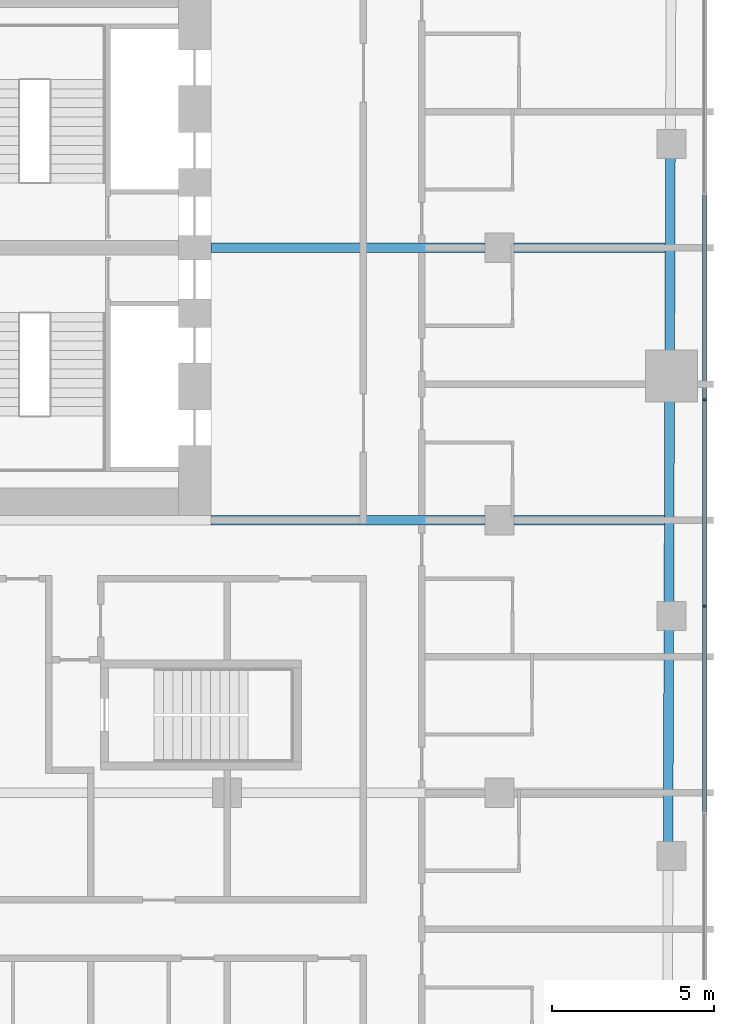
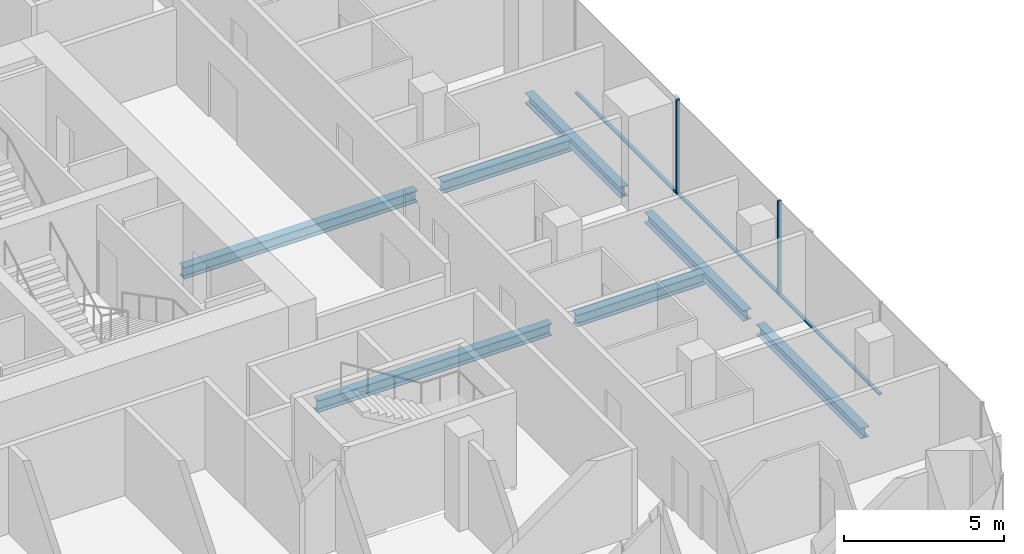
# One storey, part 7 of 23: 7 beams, 5 members, 1 element without a shape of its own.
"""IFC4 building model written with IfcOpenShell, lengths in metres."""

from ifc_helpers import new_model, si_unit, direction, frame, origin, origin_2d, place, context, subcontext, project, spatial, rectangle, i_section, extrude, material, layer, layer_set, material_profile, profile_set, type_object, element, aggregate, save


model = new_model("IFC4")

# Units and contexts
model_context = context("Model", 3, precision=1e-05, world=origin(), true_north=direction((0.0, 1.0)))
body_context = subcontext(model_context, "Body", "Model", "MODEL_VIEW")
ifc_project = project(units=[si_unit("LENGTHUNIT", "METRE"), si_unit("AREAUNIT", "SQUARE_METRE"), si_unit("VOLUMEUNIT", "CUBIC_METRE"), si_unit("PLANEANGLEUNIT", "RADIAN"), si_unit("MASSUNIT", "GRAM", prefix="KILO")], contexts=[model_context])

# Site, building, storey
site_placement = place(None, origin())
site = spatial("IfcSite", under=ifc_project, at=site_placement, CompositionType="ELEMENT")
building_placement = place(site_placement, origin())
building = spatial("IfcBuilding", under=site, at=building_placement, Name="Marenta Gate Hotel Tower", CompositionType="ELEMENT")
storey_placement = place(building_placement, frame((0.0, 0.0, 140.89990234375)))
storey = spatial("IfcBuildingStorey", under=building, at=storey_placement, Name="L32", CompositionType="ELEMENT", Elevation=140.89990234375)

# Beams
ifc_material_1 = material(Name="Steel S355", Category="steel")
ifc_material_profile_1 = material_profile(ifc_material_1, i_section(OverallWidth=0.300048828125, OverallDepth=0.39990234375, WebThickness=0.013427734375, FlangeThickness=0.02392578125, FilletRadius=0.027099609375, at=origin_2d()), Name="HEB 400")
ifc_profile_set_1 = profile_set([ifc_material_profile_1], Name="Steel S355")
beam_type_1 = type_object("IfcBeamType", Name="Edge beam HEB 400", PredefinedType="SPANDREL", material=ifc_profile_set_1)
beam_1_placement = place(storey_placement, frame((26.26416015625, 11.193115234375, -0.4599609375), z_axis=(-0.003305160059, -0.999994537944, 0.0), x_axis=(0.999994537944, -0.003305160059, 0.0)))
element("IfcBeam", 1, at=beam_1_placement, inside=storey, type_object=beam_type_1, Name="L32-EB-24", PredefinedType="SPANDREL", context=body_context, shape_type="SweptSolid", body=[
    extrude(i_section(OverallWidth=0.300048828125, OverallDepth=0.39990234375, WebThickness=0.013427734375, FlangeThickness=0.02392578125, FilletRadius=0.027099609375, at=origin_2d()), origin(), (0.0, 0.0, 1.0), 5.983154296875),
])
beam_2_placement = place(storey_placement, frame((26.2392578125, 3.68994140625, -0.4599609375), z_axis=(-0.003330441525, -0.999994454064, 0.0), x_axis=(0.999994454064, -0.003330441525, 0.0)))
element("IfcBeam", 2, at=beam_2_placement, inside=storey, type_object=beam_type_1, Name="L32-EB-25", PredefinedType="SPANDREL", context=body_context, shape_type="SweptSolid", body=[
    extrude(i_section(OverallWidth=0.300048828125, OverallDepth=0.39990234375, WebThickness=0.013427734375, FlangeThickness=0.02392578125, FilletRadius=0.027099609375, at=origin_2d()), origin(), (0.0, 0.0, 1.0), 6.23095703125),
])
beam_3_placement = place(storey_placement, frame((26.2158203125, -3.36083984375, -0.4599609375), z_axis=(-0.00333875569, -0.99999442634, 0.0), x_axis=(0.99999442634, -0.00333875569, 0.0)))
element("IfcBeam", 3, at=beam_3_placement, inside=storey, type_object=beam_type_1, Name="L32-EB-26", PredefinedType="SPANDREL", context=body_context, shape_type="SweptSolid", body=[
    extrude(i_section(OverallWidth=0.300048828125, OverallDepth=0.39990234375, WebThickness=0.013427734375, FlangeThickness=0.02392578125, FilletRadius=0.027099609375, at=origin_2d()), origin(), (0.0, 0.0, 1.0), 6.5810546875),
])
ifc_material_2 = material(Name="Steel S355", Category="steel")
ifc_material_profile_2 = material_profile(ifc_material_2, i_section(OverallWidth=0.300048828125, OverallDepth=0.449951171875, WebThickness=0.013916015625, FlangeThickness=0.02587890625, FilletRadius=0.027099609375, at=origin_2d()), Name="HEB 450")
ifc_profile_set_2 = profile_set([ifc_material_profile_2], Name="Steel S355")
beam_type_2 = type_object("IfcBeamType", Name="Girder HEB 450", PredefinedType="BEAM", material=ifc_profile_set_2)
beam_4_placement = place(storey_placement, frame((12.10009765625, 0.0, -0.48486328125), z_axis=(1.0, 0.0, 0.0), x_axis=(0.0, 1.0, 0.0)))
element("IfcBeam", 4, at=beam_4_placement, inside=storey, type_object=beam_type_2, Name="L32-GD-18", PredefinedType="BEAM", context=body_context, shape_type="SweptSolid", body=[
    extrude(i_section(OverallWidth=0.300048828125, OverallDepth=0.449951171875, WebThickness=0.013916015625, FlangeThickness=0.02587890625, FilletRadius=0.027099609375, at=origin_2d()), origin(), (0.0, 0.0, 1.0), 8.449951171875),
])
beam_5_placement = place(storey_placement, frame((21.449951171875, 0.0, -0.48486328125), z_axis=(1.0, 0.0, 0.0), x_axis=(0.0, 1.0, 0.0)))
element("IfcBeam", 5, at=beam_5_placement, inside=storey, type_object=beam_type_2, Name="L32-GD-19", PredefinedType="BEAM", context=body_context, shape_type="SweptSolid", body=[
    extrude(i_section(OverallWidth=0.300048828125, OverallDepth=0.449951171875, WebThickness=0.013916015625, FlangeThickness=0.02587890625, FilletRadius=0.027099609375, at=origin_2d()), origin(), (0.0, 0.0, 1.0), 4.626953125),
])
beam_6_placement = place(storey_placement, frame((12.10009765625, 8.39990234375, -0.48486328125), z_axis=(1.0, 0.0, 0.0), x_axis=(0.0, 1.0, 0.0)))
element("IfcBeam", 6, at=beam_6_placement, inside=storey, type_object=beam_type_2, Name="L32-GD-22", PredefinedType="BEAM", context=body_context, shape_type="SweptSolid", body=[
    extrude(i_section(OverallWidth=0.300048828125, OverallDepth=0.449951171875, WebThickness=0.013916015625, FlangeThickness=0.02587890625, FilletRadius=0.027099609375, at=origin_2d()), origin(), (0.0, 0.0, 1.0), 8.449951171875),
])
beam_7_placement = place(storey_placement, frame((21.449951171875, 8.39990234375, -0.48486328125), z_axis=(1.0, 0.0, 0.0), x_axis=(0.0, 1.0, 0.0)))
element("IfcBeam", 7, at=beam_7_placement, inside=storey, type_object=beam_type_2, Name="L32-GD-23", PredefinedType="BEAM", context=body_context, shape_type="SweptSolid", body=[
    extrude(i_section(OverallWidth=0.300048828125, OverallDepth=0.449951171875, WebThickness=0.013916015625, FlangeThickness=0.02587890625, FilletRadius=0.027099609375, at=origin_2d()), origin(), (0.0, 0.0, 1.0), 4.655029296875),
])

# Curtain wall, members
ifc_material_3 = material(Name="Tinted insulated glass in bronze anodised frame", Category="glass")
ifc_layer = layer(ifc_material_3, 0.1201171875)
ifc_layer_set = layer_set([ifc_layer], Name="Tinted insulated glass in bronze anodised frame")
curtain_wall_type = type_object("IfcCurtainWallType", Name="Tower unitised curtain wall CW1", PredefinedType="NOTDEFINED", material=ifc_layer_set)
curtain_wall_placement = place(storey_placement, origin())
curtain_wall = element("IfcCurtainWall", 8, at=curtain_wall_placement, inside=storey, type_object=curtain_wall_type, Name="CW1 run G11", PredefinedType="NOTDEFINED")
ifc_material_4 = material(Name="Bronze anodised aluminium", Category="aluminium")
ifc_material_profile_3 = material_profile(ifc_material_4, rectangle(XDim=0.1201171875, YDim=0.06005859375, at=origin_2d()), Name="Mullion CW1 60x120 bronze anodised aluminium")
ifc_profile_set_3 = profile_set([ifc_material_profile_3], Name="Bronze anodised aluminium")
member_type_1 = type_object("IfcMemberType", Name="Mullion CW1 60x120 bronze anodised aluminium", PredefinedType="MULLION", material=ifc_profile_set_3)
member_1_placement = place(storey_placement, frame((27.31396484375, -2.64794921875, 0.0), z_axis=(0.0, 0.0, 1.0), x_axis=(-1.0, 0.0, 0.0)))
member_1 = element("IfcMember", 9, at=member_1_placement, type_object=member_type_1, Name="CW1 mullion 3", PredefinedType="MULLION", context=body_context, shape_type="SweptSolid", body=[
    extrude(rectangle(XDim=0.1201171875, YDim=0.06005859375, at=origin_2d()), origin(), (0.0, 0.0, 1.0), 3.60009765625),
])
member_2_placement = place(storey_placement, frame((27.31396484375, 3.7119140625, 0.0), z_axis=(0.0, 0.0, 1.0), x_axis=(-1.0, 0.0, 0.0)))
member_2 = element("IfcMember", 10, at=member_2_placement, type_object=member_type_1, Name="CW1 mullion 4", PredefinedType="MULLION", context=body_context, shape_type="SweptSolid", body=[
    extrude(rectangle(XDim=0.1201171875, YDim=0.06005859375, at=origin_2d()), origin(), (0.0, 0.0, 1.0), 3.60009765625),
])
ifc_material_5 = material(Name="Bronze anodised aluminium", Category="aluminium")
ifc_material_profile_4 = material_profile(ifc_material_5, rectangle(XDim=0.1201171875, YDim=0.06005859375, at=origin_2d()), Name="Transom CW1 60x120 bronze anodised aluminium")
ifc_profile_set_4 = profile_set([ifc_material_profile_4], Name="Bronze anodised aluminium")
member_type_2 = type_object("IfcMemberType", Name="Transom CW1 60x120 bronze anodised aluminium", PredefinedType="USERDEFINED", material=ifc_profile_set_4)
member_3_placement = place(storey_placement, frame((27.31396484375, -8.97802734375, 0.030029296875), z_axis=(0.0, 1.0, 0.0), x_axis=(-1.0, 0.0, 0.0)))
member_3 = element("IfcMember", 11, at=member_3_placement, type_object=member_type_2, Name="CW1 transom 2.1", ObjectType="TRANSOM", PredefinedType="USERDEFINED", context=body_context, shape_type="SweptSolid", body=[
    extrude(rectangle(XDim=0.1201171875, YDim=0.06005859375, at=origin_2d()), origin(), (0.0, 0.0, 1.0), 6.300048828125),
])
member_4_placement = place(storey_placement, frame((27.31396484375, -2.617919921875, 0.030029296875), z_axis=(0.0, 1.0, 0.0), x_axis=(-1.0, 0.0, 0.0)))
member_4 = element("IfcMember", 12, at=member_4_placement, type_object=member_type_2, Name="CW1 transom 3.1", ObjectType="TRANSOM", PredefinedType="USERDEFINED", context=body_context, shape_type="SweptSolid", body=[
    extrude(rectangle(XDim=0.1201171875, YDim=0.06005859375, at=origin_2d()), origin(), (0.0, 0.0, 1.0), 6.2998046875),
])
member_5_placement = place(storey_placement, frame((27.31396484375, 3.741943359375, 0.030029296875), z_axis=(0.0, 1.0, 0.0), x_axis=(-1.0, 0.0, 0.0)))
member_5 = element("IfcMember", 13, at=member_5_placement, type_object=member_type_2, Name="CW1 transom 4.1", ObjectType="TRANSOM", PredefinedType="USERDEFINED", context=body_context, shape_type="SweptSolid", body=[
    extrude(rectangle(XDim=0.1201171875, YDim=0.06005859375, at=origin_2d()), origin(), (0.0, 0.0, 1.0), 6.300048828125),
])
aggregate(curtain_wall, [member_1, member_2, member_3, member_4, member_5])

save(model, "model.ifc")
